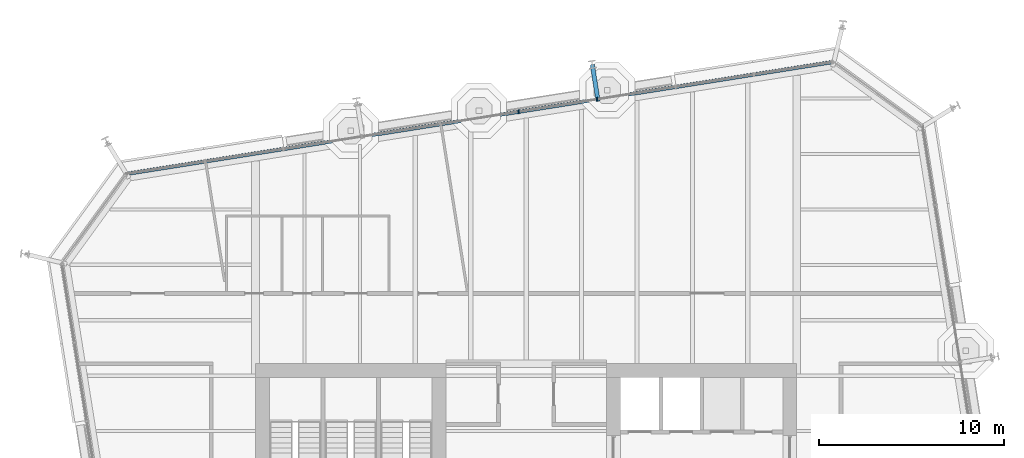
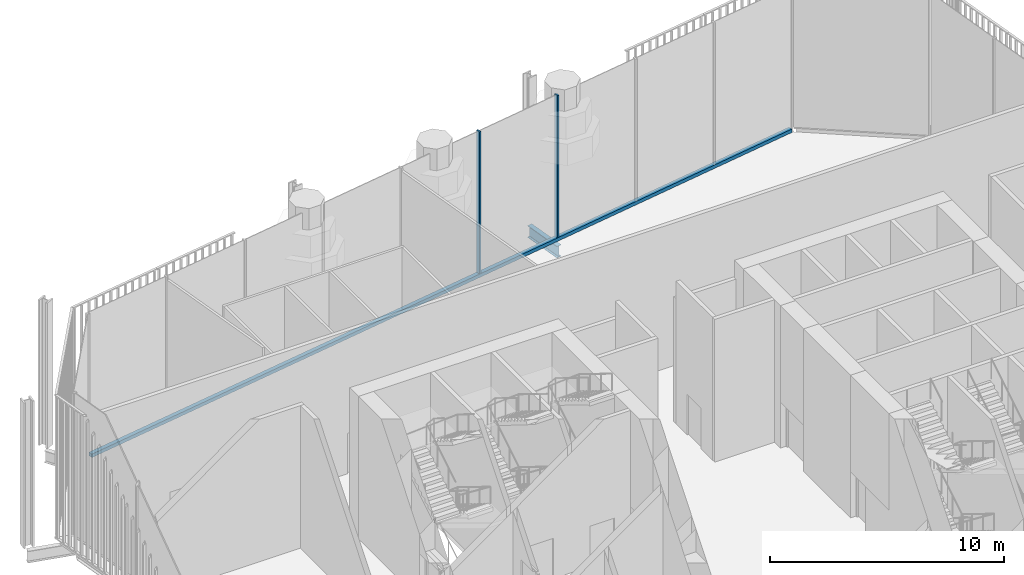
# One storey, part 7 of 19: 3 members, 1 beam, 1 element without a shape of its own.
"""IFC4 building model written with IfcOpenShell, lengths in metres."""

from ifc_helpers import new_model, si_unit, direction, frame, origin, origin_2d, place, context, subcontext, project, spatial, rectangle, i_section, extrude, material, layer, layer_set, material_profile, profile_set, type_object, element, aggregate, save


model = new_model("IFC4")

# Units and contexts
model_context = context("Model", 3, precision=1e-05, world=origin(), true_north=direction((0.0, 1.0)))
body_context = subcontext(model_context, "Body", "Model", "MODEL_VIEW")
ifc_project = project(units=[si_unit("LENGTHUNIT", "METRE"), si_unit("AREAUNIT", "SQUARE_METRE"), si_unit("VOLUMEUNIT", "CUBIC_METRE"), si_unit("PLANEANGLEUNIT", "RADIAN"), si_unit("MASSUNIT", "GRAM", prefix="KILO")], contexts=[model_context])

# Site, building, storey
site_placement = place(None, origin())
site = spatial("IfcSite", under=ifc_project, at=site_placement, CompositionType="ELEMENT")
building_placement = place(site_placement, origin())
building = spatial("IfcBuilding", under=site, at=building_placement, Name="Millrace Tower", CompositionType="ELEMENT")
storey_placement = place(building_placement, frame((0.0, 0.0, 172.39990234375)))
storey = spatial("IfcBuildingStorey", under=building, at=storey_placement, Name="L39", CompositionType="ELEMENT", Elevation=172.39990234375)

# Curtain wall, members
ifc_material_1 = material(Name="Aluminium and glass", Category="aluminium")
ifc_layer = layer(ifc_material_1, 0.199951171875)
ifc_layer_set = layer_set([ifc_layer], Name="Aluminium and glass")
curtain_wall_type = type_object("IfcCurtainWallType", Name="CW-4 sky garden winter glazing", PredefinedType="NOTDEFINED", material=ifc_layer_set)
curtain_wall_placement = place(storey_placement, origin())
curtain_wall = element("IfcCurtainWall", 1, at=curtain_wall_placement, inside=storey, type_object=curtain_wall_type, Name="Curtain wall C-F06 L39", PredefinedType="NOTDEFINED")
ifc_material_2 = material(Name="Aluminium", Category="aluminium")
ifc_material_profile_1 = material_profile(ifc_material_2, rectangle(XDim=0.080078125, YDim=0.199951171875, at=origin_2d()))
ifc_profile_set_1 = profile_set([ifc_material_profile_1], Name="Aluminium")
member_type_1 = type_object("IfcMemberType", Name="CW-4 sky garden winter glazing mullion", PredefinedType="MULLION", material=ifc_profile_set_1)
member_1_placement = place(storey_placement, frame((3.839111328125, 23.962158203125, 0.18017578125), z_axis=(0.0, 0.0, 1.0), x_axis=(-0.98768833929, -0.15643447328, 0.0)))
member_1 = element("IfcMember", 2, at=member_1_placement, type_object=member_type_1, Name="CW4 mullion C-F06.4", PredefinedType="MULLION", context=body_context, shape_type="SweptSolid", body=[
    extrude(rectangle(XDim=0.080078125, YDim=0.199951171875, at=origin_2d()), origin(), (0.0, 0.0, 1.0), 7.419921875),
])
member_2_placement = place(storey_placement, frame((-0.40771484375, 23.28955078125, 0.18017578125), z_axis=(0.0, 0.0, 1.0), x_axis=(-0.98768833929, -0.15643447328, 0.0)))
member_2 = element("IfcMember", 3, at=member_2_placement, type_object=member_type_1, Name="CW4 mullion C-F06.5", PredefinedType="MULLION", context=body_context, shape_type="SweptSolid", body=[
    extrude(rectangle(XDim=0.080078125, YDim=0.199951171875, at=origin_2d()), origin(), (0.0, 0.0, 1.0), 7.419921875),
])
ifc_material_3 = material(Name="Aluminium", Category="aluminium")
ifc_material_profile_2 = material_profile(ifc_material_3, rectangle(XDim=0.199951171875, YDim=0.179931640625, at=origin_2d()))
ifc_profile_set_2 = profile_set([ifc_material_profile_2], Name="Aluminium")
member_type_2 = type_object("IfcMemberType", Name="CW-4 sky garden winter glazing transom", PredefinedType="USERDEFINED", material=ifc_profile_set_2)
member_3_placement = place(storey_placement, frame((16.521240234375, 25.970703125, 0.090087890625), z_axis=(-0.987688505691, -0.156433422663, 0.0), x_axis=(0.156433422663, -0.987688505691, 0.0)))
member_3 = element("IfcMember", 4, at=member_3_placement, type_object=member_type_2, Name="CW4 transom C-F06.1", ObjectType="TRANSOM", PredefinedType="USERDEFINED", context=body_context, shape_type="SweptSolid", body=[
    extrude(rectangle(XDim=0.199951171875, YDim=0.179931640625, at=origin_2d()), origin(), (0.0, 0.0, 1.0), 38.5),
])
aggregate(curtain_wall, [member_1, member_2, member_3])

# Beam
ifc_material_4 = material(Name="Steel ASTM A992 Grade 50", Category="steel")
ifc_material_profile_3 = material_profile(ifc_material_4, i_section(OverallWidth=0.23046875, OverallDepth=0.6171875, WebThickness=0.01318359375, FlangeThickness=0.022216796875, FilletRadius=0.012939453125, at=origin_2d()))
ifc_profile_set_3 = profile_set([ifc_material_profile_3], Name="Steel ASTM A992 Grade 50")
beam_type = type_object("IfcBeamType", Name="Link beam W24x94", PredefinedType="BEAM", material=ifc_profile_set_3)
beam_placement = place(storey_placement, frame((3.894287109375, 23.86962890625, -0.55859375), z_axis=(-0.15637629034, 0.987697552806, 0.0), x_axis=(-0.987697552806, -0.15637629034, 0.0)))
element("IfcBeam", 5, at=beam_placement, inside=storey, type_object=beam_type, Name="LNK-C-L39-S1-07", PredefinedType="BEAM", context=body_context, shape_type="SweptSolid", body=[
    extrude(i_section(OverallWidth=0.23046875, OverallDepth=0.6171875, WebThickness=0.01318359375, FlangeThickness=0.022216796875, FilletRadius=0.012939453125, at=origin_2d()), origin(), (0.0, 0.0, 1.0), 2.0),
])

save(model, "model.ifc")
